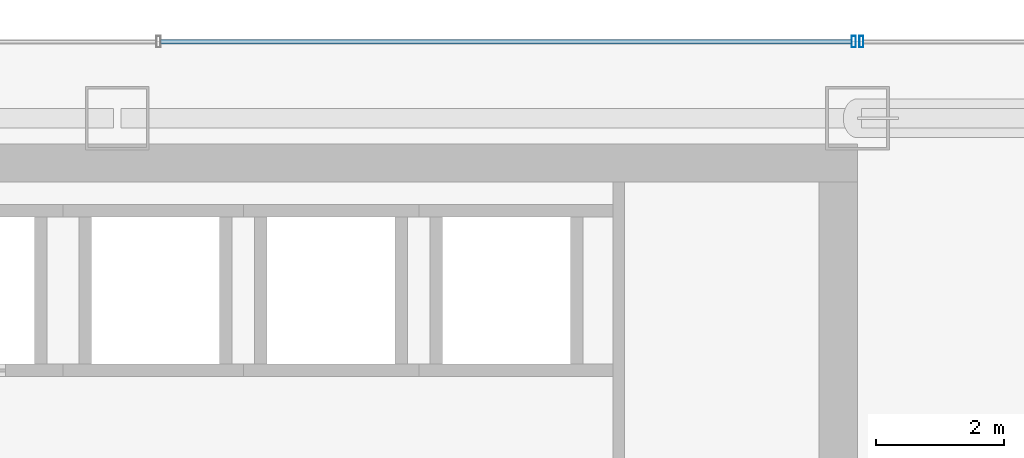
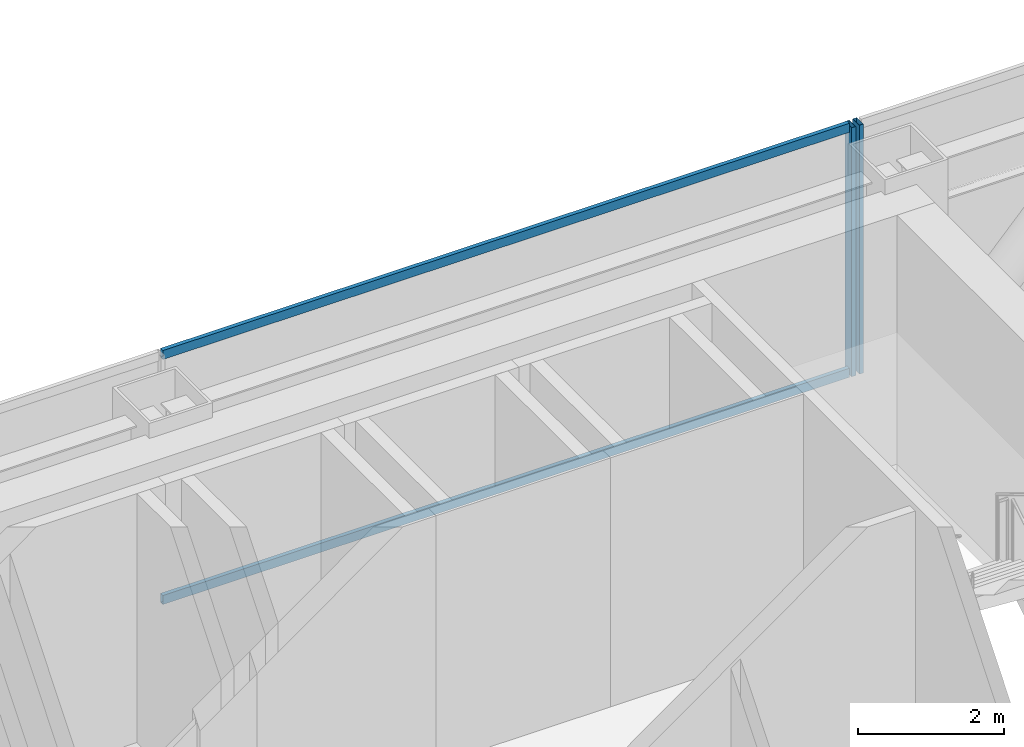
# One storey, part 28 of 37: 4 members, 2 elements without a shape of their own.
"""IFC4 building model written with IfcOpenShell, lengths in metres."""

from ifc_helpers import new_model, si_unit, direction, frame, origin, origin_2d, place, context, subcontext, project, spatial, hollow_rectangle, extrude, material, material_profile, profile_set, type_object, element, aggregate, save


model = new_model("IFC4")

# Units and contexts
model_context = context("Model", 3, precision=1e-05, world=origin(), true_north=direction((0.0, 1.0)))
body_context = subcontext(model_context, "Body", "Model", "MODEL_VIEW")
ifc_project = project(units=[si_unit("LENGTHUNIT", "METRE"), si_unit("AREAUNIT", "SQUARE_METRE"), si_unit("VOLUMEUNIT", "CUBIC_METRE"), si_unit("PLANEANGLEUNIT", "RADIAN"), si_unit("MASSUNIT", "GRAM", prefix="KILO")], contexts=[model_context])

# Site, building, storey
site_placement = place(None, origin())
site = spatial("IfcSite", under=ifc_project, at=site_placement, CompositionType="ELEMENT")
building_placement = place(site_placement, origin())
building = spatial("IfcBuilding", under=site, at=building_placement, Name="Saevonmaru Cultural Tower", CompositionType="ELEMENT")
storey_placement = place(building_placement, frame((0.0, 0.0, 110.39990234375)))
storey = spatial("IfcBuildingStorey", under=building, at=storey_placement, Name="L23", CompositionType="ELEMENT", Elevation=110.39990234375)

# Curtain wall, member
ifc_material = material(Name="Satin Bronze Anodised Aluminium", Category="aluminium")
curtain_wall_type = type_object("IfcCurtainWallType", Name="CW-TYP-A", PredefinedType="NOTDEFINED", material=ifc_material)
curtain_wall_1_placement = place(storey_placement, origin())
curtain_wall_1 = element("IfcCurtainWall", 1, at=curtain_wall_1_placement, inside=storey, type_object=curtain_wall_type, Name="L23 East Braced Bay Spandrel Curtain Wall E10A", PredefinedType="NOTDEFINED")
ifc_material_profile_1 = material_profile(ifc_material, hollow_rectangle(XDim=0.06494140625, YDim=0.179931640625, WallThickness=0.00390625, at=origin_2d()), Name="ALU-MULL-180x65x4")
ifc_profile_set_1 = profile_set([ifc_material_profile_1], Name="Satin Bronze Anodised Aluminium")
member_type_1 = type_object("IfcMemberType", Name="ML-CW-180x65", PredefinedType="MULLION", material=ifc_profile_set_1)
member_1_placement = place(storey_placement, frame((46.4599609375, 56.0, 0.0), z_axis=(0.0, 0.0, 1.0), x_axis=(-1.0, 0.0, 0.0)))
member_1 = element("IfcMember", 2, at=member_1_placement, type_object=member_type_1, Name="CW-TW-L23-E10A mullion 2", PredefinedType="MULLION", context=body_context, shape_type="SweptSolid", body=[
    extrude(hollow_rectangle(XDim=0.06494140625, YDim=0.179931640625, WallThickness=0.00390625, at=origin_2d()), origin(), (0.0, 0.0, 1.0), 4.150146484375),
])
aggregate(curtain_wall_1, [member_1])

# Curtain wall, members
curtain_wall_2_placement = place(storey_placement, origin())
curtain_wall_2 = element("IfcCurtainWall", 3, at=curtain_wall_2_placement, inside=storey, type_object=curtain_wall_type, Name="L23 North Spine Unitised Curtain Wall E10B", PredefinedType="NOTDEFINED")
member_2_placement = place(storey_placement, frame((46.340087890625, 56.0, 0.0), z_axis=(0.0, 0.0, 1.0), x_axis=(-1.0, 0.0, 0.0)))
member_2 = element("IfcMember", 4, at=member_2_placement, type_object=member_type_1, Name="CW-TW-L23-E10B mullion 1", PredefinedType="MULLION", context=body_context, shape_type="SweptSolid", body=[
    extrude(hollow_rectangle(XDim=0.06494140625, YDim=0.179931640625, WallThickness=0.00390625, at=origin_2d()), origin(), (0.0, 0.0, 1.0), 4.150146484375),
])
ifc_material_profile_2 = material_profile(ifc_material, hollow_rectangle(XDim=0.06494140625, YDim=0.14990234375, WallThickness=0.00390625, at=origin_2d()), Name="ALU-TRAN-150x65x4")
ifc_profile_set_2 = profile_set([ifc_material_profile_2], Name="Satin Bronze Anodised Aluminium")
member_type_2 = type_object("IfcMemberType", Name="TR-CW-150x65", PredefinedType="USERDEFINED", material=ifc_profile_set_2)
member_3_placement = place(storey_placement, frame((46.3076171875, 56.0, 0.03271484375), z_axis=(-1.0, 0.0, 0.0), x_axis=(0.0, -1.0, 0.0)))
member_3 = element("IfcMember", 5, at=member_3_placement, type_object=member_type_2, Name="CW-TW-L23-E10B transom 1.1", ObjectType="TRANSOM", PredefinedType="USERDEFINED", context=body_context, shape_type="SweptSolid", body=[
    extrude(hollow_rectangle(XDim=0.06494140625, YDim=0.14990234375, WallThickness=0.00390625, at=origin_2d()), origin(), (0.0, 0.0, 1.0), 10.828369140625),
])
member_4_placement = place(storey_placement, frame((46.3076171875, 56.0, 4.11767578125), z_axis=(-1.0, 0.0, 0.0), x_axis=(0.0, -1.0, 0.0)))
member_4 = element("IfcMember", 6, at=member_4_placement, type_object=member_type_2, Name="CW-TW-L23-E10B transom 1.2", ObjectType="TRANSOM", PredefinedType="USERDEFINED", context=body_context, shape_type="SweptSolid", body=[
    extrude(hollow_rectangle(XDim=0.06494140625, YDim=0.14990234375, WallThickness=0.00390625, at=origin_2d()), origin(), (0.0, 0.0, 1.0), 10.828369140625),
])
aggregate(curtain_wall_2, [member_2, member_3, member_4])

save(model, "model.ifc")
